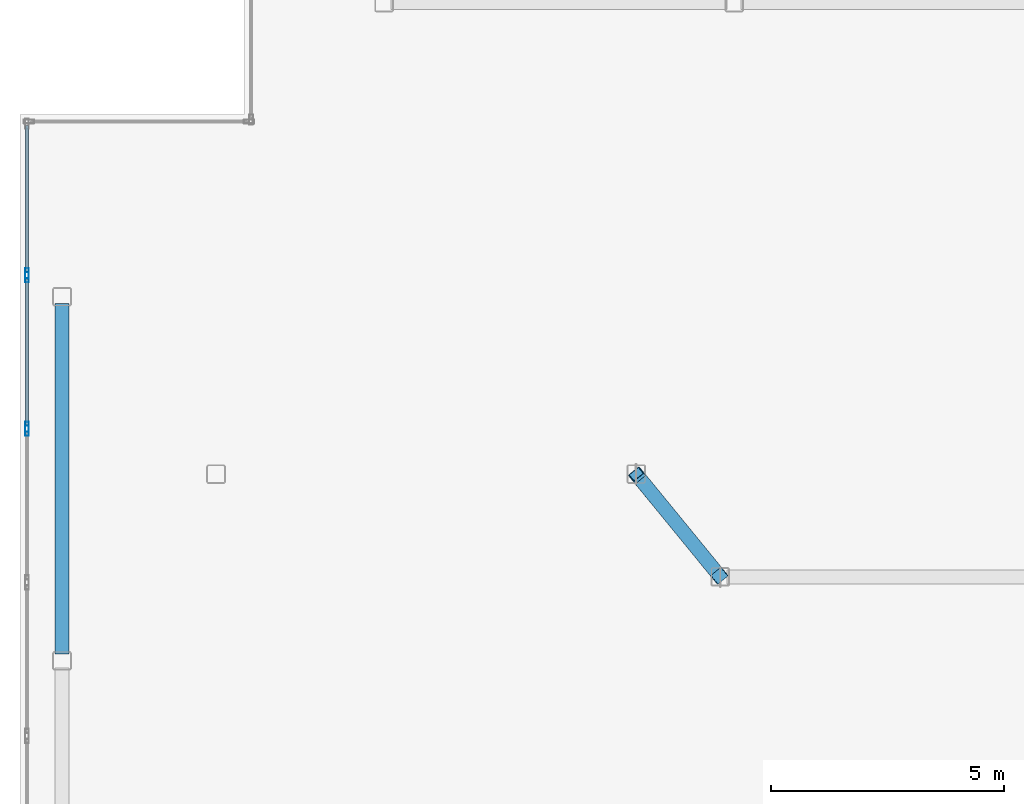
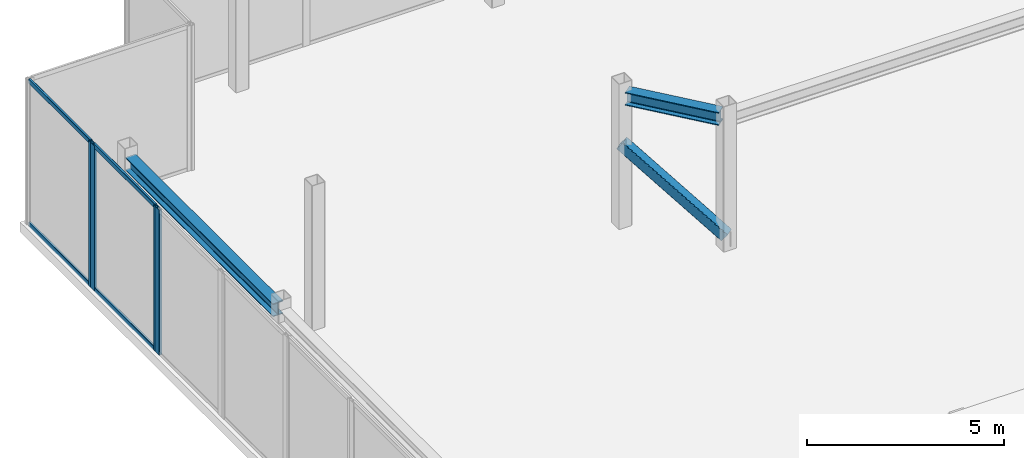
# One storey, part 4 of 15: 9 members, 2 beams, 3 elements without a shape of their own.
"""IFC4 building model written with IfcOpenShell, lengths in metres."""

from ifc_helpers import new_model, si_unit, direction, frame, origin, origin_2d, place, context, subcontext, project, spatial, hollow_rectangle, i_section, extrude, material, layer, layer_set, material_profile, profile_set, type_object, element, aggregate, save


model = new_model("IFC4")

# Units and contexts
model_context = context("Model", 3, precision=1e-05, world=origin(), true_north=direction((0.0, 1.0)))
body_context = subcontext(model_context, "Body", "Model", "MODEL_VIEW")
ifc_project = project(units=[si_unit("LENGTHUNIT", "METRE"), si_unit("AREAUNIT", "SQUARE_METRE"), si_unit("VOLUMEUNIT", "CUBIC_METRE"), si_unit("PLANEANGLEUNIT", "RADIAN"), si_unit("MASSUNIT", "GRAM", prefix="KILO")], contexts=[model_context])

# Site, building, storey
site_placement = place(None, origin())
site = spatial("IfcSite", under=ifc_project, at=site_placement, CompositionType="ELEMENT")
building_placement = place(site_placement, origin())
building = spatial("IfcBuilding", under=site, at=building_placement, Name="Tarnavaz Court Tower", CompositionType="ELEMENT")
storey_placement = place(building_placement, frame((0.0, 0.0, 295.050048828125)))
storey = spatial("IfcBuildingStorey", under=building, at=storey_placement, Name="C04", CompositionType="ELEMENT", Elevation=295.050048828125)

# Beams
ifc_material_1 = material(Name="Steel S355", Category="steel")
ifc_material_profile_1 = material_profile(ifc_material_1, i_section(OverallWidth=0.300048828125, OverallDepth=0.39990234375, WebThickness=0.013427734375, FlangeThickness=0.02392578125, FilletRadius=0.027099609375, at=origin_2d()), Name="HEB 400")
ifc_profile_set_1 = profile_set([ifc_material_profile_1], Name="Steel S355")
beam_type = type_object("IfcBeamType", Name="BM-G-HEB400", PredefinedType="USERDEFINED", material=ifc_profile_set_1)
beam_1_placement = place(storey_placement, frame((-9.5048828125, 9.8837890625, 4.0), z_axis=(0.633206414362, -0.773982969329, 0.0), x_axis=(0.773982969329, 0.633206414362, 0.0)))
element("IfcBeam", 1, at=beam_1_placement, inside=storey, type_object=beam_type, Name="C04 Beam CRG-CW-NI-IW-NW", ObjectType="GIRDER", PredefinedType="USERDEFINED", context=body_context, shape_type="SweptSolid", body=[
    extrude(i_section(OverallWidth=0.300048828125, OverallDepth=0.39990234375, WebThickness=0.013427734375, FlangeThickness=0.02392578125, FilletRadius=0.027099609375, at=origin_2d()), origin(), (0.0, 0.0, 1.0), 2.54248046875),
])
beam_2_placement = place(storey_placement, frame((-21.89990234375, 6.14990234375, 4.0), z_axis=(0.0, 1.0, 0.0), x_axis=(-1.0, 0.0, 0.0)))
element("IfcBeam", 2, at=beam_2_placement, inside=storey, type_object=beam_type, Name="C04 Beam CRG-PW-3-PW-4", ObjectType="GIRDER", PredefinedType="USERDEFINED", context=body_context, shape_type="SweptSolid", body=[
    extrude(i_section(OverallWidth=0.300048828125, OverallDepth=0.39990234375, WebThickness=0.013427734375, FlangeThickness=0.02392578125, FilletRadius=0.027099609375, at=origin_2d()), origin(), (0.0, 0.0, 1.0), 7.5),
])

# Curtain wall, member
ifc_material_2 = material(Name="Anodised Aluminium 6063-T6 and Solar Low-E Glazing", Category="aluminium")
ifc_layer = layer(ifc_material_2, 0.2099609375)
ifc_layer_set = layer_set([ifc_layer], Name="Anodised Aluminium 6063-T6 and Solar Low-E Glazing")
curtain_wall_type = type_object("IfcCurtainWallType", Name="CW-SYS-06", PredefinedType="NOTDEFINED", material=ifc_layer_set)
curtain_wall_1_placement = place(storey_placement, origin())
curtain_wall_1 = element("IfcCurtainWall", 3, at=curtain_wall_1_placement, inside=storey, type_object=curtain_wall_type, Name="C04 Slanted Crown Terracotta Curtain Wall 27", PredefinedType="NOTDEFINED")
ifc_material_3 = material(Name="Anodised Aluminium 6063-T6", Category="aluminium")
ifc_material_profile_2 = material_profile(ifc_material_3, hollow_rectangle(XDim=0.0849609375, YDim=0.219970703125, WallThickness=0.006103515625, InnerFilletRadius=0.006103515625, OuterFilletRadius=0.011962890625, at=origin_2d()), Name="ALU RHS 220X85X6")
ifc_profile_set_2 = profile_set([ifc_material_profile_2], Name="Anodised Aluminium 6063-T6")
member_type_1 = type_object("IfcMemberType", Name="CW-MUL-220", PredefinedType="MULLION", material=ifc_profile_set_2)
member_1_placement = place(storey_placement, frame((-22.64990234375, 10.927490234375, 0.0), z_axis=(0.0, 0.0, 1.0), x_axis=(-1.0, 0.0, 0.0)))
member_1 = element("IfcMember", 4, at=member_1_placement, type_object=member_type_1, Name="CW mullion 2", PredefinedType="MULLION", context=body_context, shape_type="SweptSolid", body=[
    extrude(hollow_rectangle(XDim=0.0849609375, YDim=0.219970703125, WallThickness=0.006103515625, InnerFilletRadius=0.006103515625, OuterFilletRadius=0.011962890625, at=origin_2d()), origin(), (0.0, 0.0, 1.0), 4.5),
])
aggregate(curtain_wall_1, [member_1])

# Curtain wall, members
curtain_wall_2_placement = place(storey_placement, origin())
curtain_wall_2 = element("IfcCurtainWall", 5, at=curtain_wall_2_placement, inside=storey, type_object=curtain_wall_type, Name="C04 Slanted Crown Terracotta Curtain Wall 28", PredefinedType="NOTDEFINED")
member_2_placement = place(storey_placement, frame((-22.64990234375, 11.012451171875, 0.0), z_axis=(0.0, 0.0, 1.0), x_axis=(-1.0, 0.0, 0.0)))
member_2 = element("IfcMember", 6, at=member_2_placement, type_object=member_type_1, Name="CW mullion 1", PredefinedType="MULLION", context=body_context, shape_type="SweptSolid", body=[
    extrude(hollow_rectangle(XDim=0.0849609375, YDim=0.219970703125, WallThickness=0.006103515625, InnerFilletRadius=0.006103515625, OuterFilletRadius=0.011962890625, at=origin_2d()), origin(), (0.0, 0.0, 1.0), 4.5),
])
member_3_placement = place(storey_placement, frame((-22.64990234375, 14.217529296875, 0.0), z_axis=(0.0, 0.0, 1.0), x_axis=(-1.0, 0.0, 0.0)))
member_3 = element("IfcMember", 7, at=member_3_placement, type_object=member_type_1, Name="CW mullion 2", PredefinedType="MULLION", context=body_context, shape_type="SweptSolid", body=[
    extrude(hollow_rectangle(XDim=0.0849609375, YDim=0.219970703125, WallThickness=0.006103515625, InnerFilletRadius=0.006103515625, OuterFilletRadius=0.011962890625, at=origin_2d()), origin(), (0.0, 0.0, 1.0), 4.5),
])

# Curtain wall, member
curtain_wall_3_placement = place(storey_placement, origin())
curtain_wall_3 = element("IfcCurtainWall", 8, at=curtain_wall_3_placement, inside=storey, type_object=curtain_wall_type, Name="C04 Slanted Crown Terracotta Curtain Wall 29", PredefinedType="NOTDEFINED")
member_4_placement = place(storey_placement, frame((-22.64990234375, 14.302490234375, 0.0), z_axis=(0.0, 0.0, 1.0), x_axis=(-1.0, 0.0, 0.0)))
member_4 = element("IfcMember", 9, at=member_4_placement, type_object=member_type_1, Name="CW mullion 1", PredefinedType="MULLION", context=body_context, shape_type="SweptSolid", body=[
    extrude(hollow_rectangle(XDim=0.0849609375, YDim=0.219970703125, WallThickness=0.006103515625, InnerFilletRadius=0.006103515625, OuterFilletRadius=0.011962890625, at=origin_2d()), origin(), (0.0, 0.0, 1.0), 4.5),
])

# Member
ifc_material_profile_3 = material_profile(ifc_material_3, hollow_rectangle(XDim=0.06494140625, YDim=0.139892578125, WallThickness=0.00390625, InnerFilletRadius=0.00390625, OuterFilletRadius=0.008056640625, at=origin_2d()), Name="ALU RHS 140X65X4")
ifc_profile_set_3 = profile_set([ifc_material_profile_3], Name="Anodised Aluminium 6063-T6")
member_type_2 = type_object("IfcMemberType", Name="CW-TRN-140", PredefinedType="USERDEFINED", material=ifc_profile_set_3)
member_5_placement = place(storey_placement, frame((-22.64990234375, 11.054931640625, 0.032470703125), z_axis=(0.0, 1.0, 0.0), x_axis=(-1.0, 0.0, 0.0)))
member_5 = element("IfcMember", 10, at=member_5_placement, type_object=member_type_2, Name="CW transom 1.1", ObjectType="TRANSOM", PredefinedType="USERDEFINED", context=body_context, shape_type="SweptSolid", body=[
    extrude(hollow_rectangle(XDim=0.06494140625, YDim=0.139892578125, WallThickness=0.00390625, InnerFilletRadius=0.00390625, OuterFilletRadius=0.008056640625, at=origin_2d()), origin(), (0.0, 0.0, 1.0), 3.1201171875),
])

member_6_placement = place(storey_placement, frame((-22.64990234375, 11.054931640625, 4.467529296875), z_axis=(0.0, 1.0, 0.0), x_axis=(-1.0, 0.0, 0.0)))
member_6 = element("IfcMember", 11, at=member_6_placement, type_object=member_type_2, Name="CW transom 1.2", ObjectType="TRANSOM", PredefinedType="USERDEFINED", context=body_context, shape_type="SweptSolid", body=[
    extrude(hollow_rectangle(XDim=0.06494140625, YDim=0.139892578125, WallThickness=0.00390625, InnerFilletRadius=0.00390625, OuterFilletRadius=0.008056640625, at=origin_2d()), origin(), (0.0, 0.0, 1.0), 3.1201171875),
])

aggregate(curtain_wall_2, [member_2, member_3, member_5, member_6])

member_7_placement = place(storey_placement, frame((-22.64990234375, 14.344970703125, 0.032470703125), z_axis=(0.0, 1.0, 0.0), x_axis=(-1.0, 0.0, 0.0)))
member_7 = element("IfcMember", 12, at=member_7_placement, type_object=member_type_2, Name="CW transom 1.1", ObjectType="TRANSOM", PredefinedType="USERDEFINED", context=body_context, shape_type="SweptSolid", body=[
    extrude(hollow_rectangle(XDim=0.06494140625, YDim=0.139892578125, WallThickness=0.00390625, InnerFilletRadius=0.00390625, OuterFilletRadius=0.008056640625, at=origin_2d()), origin(), (0.0, 0.0, 1.0), 3.1201171875),
])

member_8_placement = place(storey_placement, frame((-22.64990234375, 14.344970703125, 4.467529296875), z_axis=(0.0, 1.0, 0.0), x_axis=(-1.0, 0.0, 0.0)))
member_8 = element("IfcMember", 13, at=member_8_placement, type_object=member_type_2, Name="CW transom 1.2", ObjectType="TRANSOM", PredefinedType="USERDEFINED", context=body_context, shape_type="SweptSolid", body=[
    extrude(hollow_rectangle(XDim=0.06494140625, YDim=0.139892578125, WallThickness=0.00390625, InnerFilletRadius=0.00390625, OuterFilletRadius=0.008056640625, at=origin_2d()), origin(), (0.0, 0.0, 1.0), 3.1201171875),
])

aggregate(curtain_wall_3, [member_4, member_7, member_8])

ifc_material_profile_4 = material_profile(ifc_material_1, hollow_rectangle(XDim=0.300048828125, YDim=0.300048828125, WallThickness=0.01611328125, InnerFilletRadius=0.01611328125, OuterFilletRadius=0.031982421875, at=origin_2d()), Name="SHS 300X300X16")
ifc_profile_set_4 = profile_set([ifc_material_profile_4], Name="Steel S355")
member_type_3 = type_object("IfcMemberType", Name="MB-CR-SHS200", PredefinedType="USERDEFINED", material=ifc_profile_set_4)
member_9_placement = place(storey_placement, frame((-7.800048828125, 7.800048828125, 0.349853515625), z_axis=(-0.505044427904, 0.617246078916, 0.603272246922), x_axis=(-0.773941992102, -0.633256498476, 0.0)))
element("IfcMember", 14, at=member_9_placement, inside=storey, type_object=member_type_3, Name="C04 Crown Frame W Core Brace Strut", ObjectType="CROWN FRAME", PredefinedType="USERDEFINED", context=body_context, shape_type="SweptSolid", body=[
    extrude(hollow_rectangle(XDim=0.300048828125, YDim=0.300048828125, WallThickness=0.01611328125, InnerFilletRadius=0.01611328125, OuterFilletRadius=0.031982421875, at=origin_2d()), origin(), (0.0, 0.0, 1.0), 3.564208984375),
])

save(model, "model.ifc")
